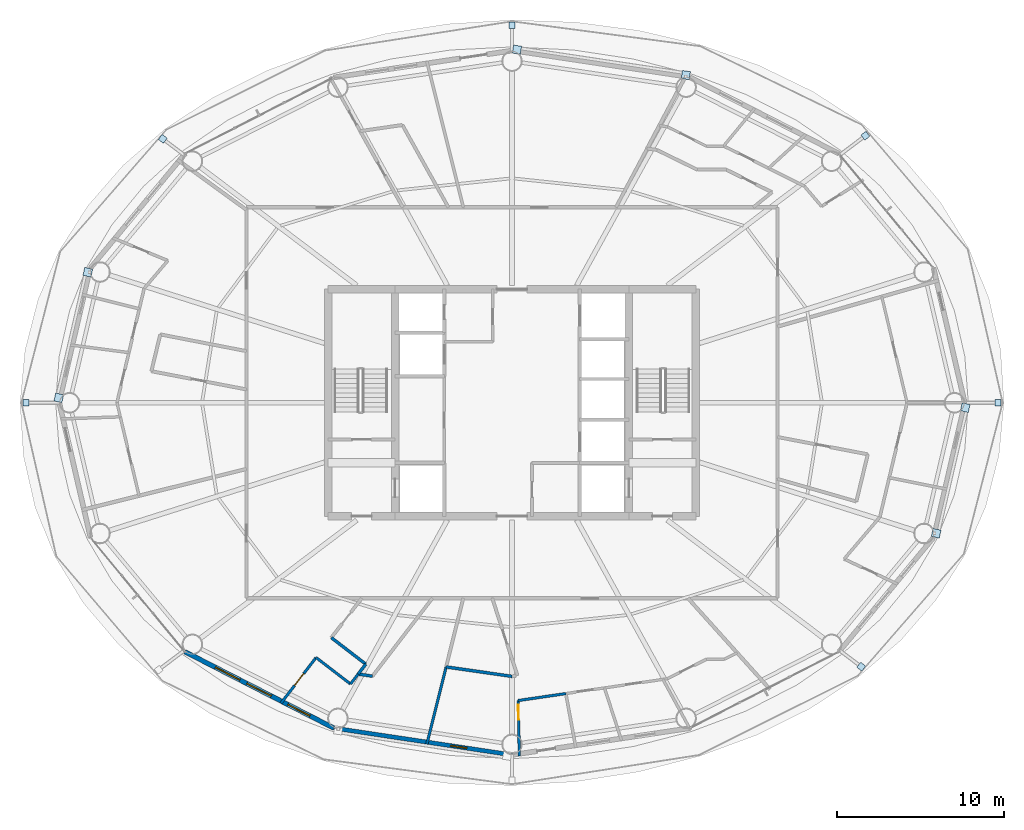
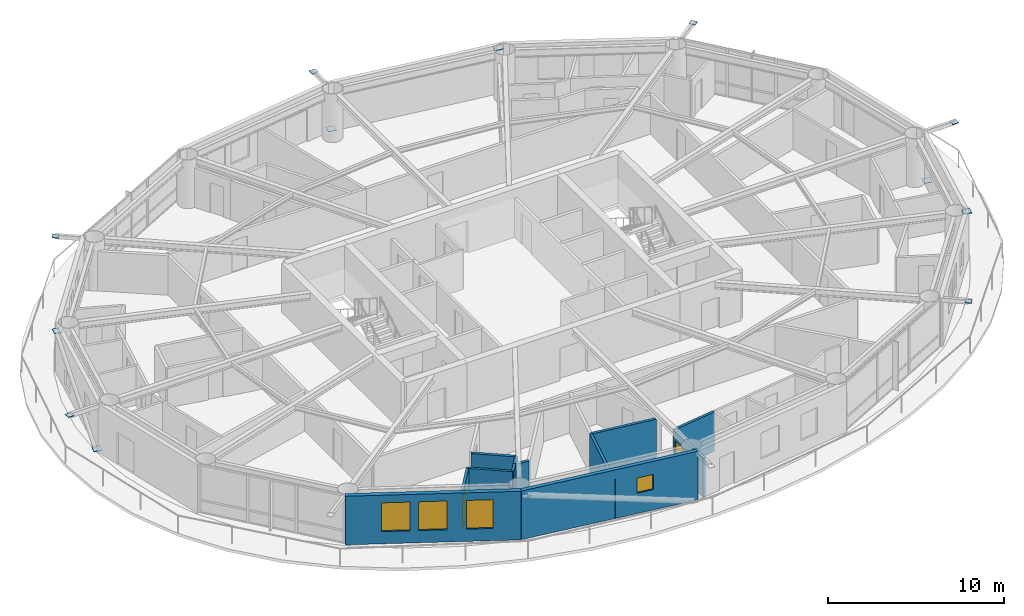
# One storey, part 19 of 27: 12 plates, 12 walls, 4 windows, 2 doors, 6 openings.
"""IFC4 building model written with IfcOpenShell, lengths in metres."""

from ifc_helpers import new_model, si_unit, direction, frame, frame_2d, origin, origin_2d, place, context, subcontext, project, spatial, rectangle, extrude, material, layer, layer_set, type_object, element, fill, save


model = new_model("IFC4")

# Units and contexts
model_context = context("Model", 3, precision=1e-05, world=origin(), true_north=direction((0.0, 1.0)))
body_context = subcontext(model_context, "Body", "Model", "MODEL_VIEW")
ifc_project = project(units=[si_unit("LENGTHUNIT", "METRE"), si_unit("AREAUNIT", "SQUARE_METRE"), si_unit("VOLUMEUNIT", "CUBIC_METRE"), si_unit("PLANEANGLEUNIT", "RADIAN"), si_unit("MASSUNIT", "GRAM", prefix="KILO")], contexts=[model_context])

# Site, building, storey
site_placement = place(None, origin())
site = spatial("IfcSite", under=ifc_project, at=site_placement, CompositionType="ELEMENT")
building_placement = place(site_placement, origin())
building = spatial("IfcBuilding", under=site, at=building_placement, Name="Sarneth Arch Tower", CompositionType="ELEMENT")
storey_placement = place(building_placement, frame((0.0, 0.0, 186.60009765625)))
storey = spatial("IfcBuildingStorey", under=building, at=storey_placement, Name="L47", CompositionType="ELEMENT", Elevation=186.60009765625)

# Plates
ifc_material_1 = material(Name="Steel S355", Category="steel")
ifc_layer_1 = layer(ifc_material_1, 0.035888671875)
ifc_layer_set_1 = layer_set([ifc_layer_1], Name="Steel S355")
plate_type = type_object("IfcPlateType", Name="PLT-GUSSET-30", PredefinedType="SHEET", material=ifc_layer_set_1)
for number, where, z_axis, x_axis, name in (
    (1, (77.090087890625, 42.0, 3.2021484375), (0.0, 0.0, 1.0), (1.0, 0.0, 0.0), "Steel end cap plate GP-1"),
    (2, (69.151123046875, 57.985107421875, 3.2021484375), (0.0, 0.0, 1.0), (0.797794439539, 0.602929541689, 0.0), "Steel end cap plate GP-1"),
):
    element("IfcPlate", number, at=place(storey_placement, frame(where, z_axis=z_axis, x_axis=x_axis)), inside=storey, type_object=plate_type, Name=name, PredefinedType="SHEET", context=body_context, shape_type="SweptSolid", body=[
        extrude(rectangle(XDim=0.3798828125, YDim=0.3798828125, at=origin_2d()), origin(), (0.0, 0.0, 1.0), 0.035888671875),
    ])
for number, where, z_axis, x_axis, name in (
    (3, (48.296630859375, 63.13525390625, 0.001953125), (0.0, 0.0, 1.0), (-0.98883454203, 0.149017611339, 0.0), "Steel end cap plate GP-1"),
    (4, (58.404296875, 61.612548828125, 3.03271484375), (0.0, 0.0, 1.0), (-0.98883454203, 0.149017611339, 0.0), "Steel end cap plate GP-1"),
):
    element("IfcPlate", number, at=place(storey_placement, frame(where, z_axis=z_axis, x_axis=x_axis)), inside=storey, type_object=plate_type, Name=name, PredefinedType="SHEET", context=body_context, shape_type="SweptSolid", body=[
        extrude(rectangle(XDim=0.486083984375, YDim=0.486083984375, at=origin_2d()), origin(), (0.0, 0.0, 1.0), 0.035888671875),
    ])
for number, where, z_axis, x_axis, name in (
    (5, (48.0, 64.596923828125, 3.2021484375), (0.0, 0.0, 1.0), (0.0, 1.0, 0.0), "Steel end cap plate GP-1"),
    (6, (27.09423828125, 57.799560546875, 3.2021484375), (0.0, 0.0, 1.0), (-0.797794439539, 0.602929541689, 0.0), "Steel end cap plate GP-1"),
):
    element("IfcPlate", number, at=place(storey_placement, frame(where, z_axis=z_axis, x_axis=x_axis)), inside=storey, type_object=plate_type, Name=name, PredefinedType="SHEET", context=body_context, shape_type="SweptSolid", body=[
        extrude(rectangle(XDim=0.3798828125, YDim=0.3798828125, at=origin_2d()), origin(), (0.0, 0.0, 1.0), 0.035888671875),
    ])
for number, where, z_axis, x_axis, name in (
    (7, (20.87109375, 42.292236328125, 0.001953125), (0.0, 0.0, 1.0), (-0.225291159947, -0.974291482694, 0.0), "Steel end cap plate GP-1"),
    (8, (22.609619140625, 49.81298828125, 3.03271484375), (0.0, 0.0, 1.0), (-0.225291159947, -0.974291482694, 0.0), "Steel end cap plate GP-1"),
):
    element("IfcPlate", number, at=place(storey_placement, frame(where, z_axis=z_axis, x_axis=x_axis)), inside=storey, type_object=plate_type, Name=name, PredefinedType="SHEET", context=body_context, shape_type="SweptSolid", body=[
        extrude(rectangle(XDim=0.486083984375, YDim=0.486083984375, at=origin_2d()), origin(), (0.0, 0.0, 1.0), 0.035888671875),
    ])
for number, where, z_axis, x_axis, name in (
    (9, (18.909912109375, 42.0, 3.2021484375), (0.0, 0.0, 1.0), (-1.0, 0.0, 0.0), "Steel end cap plate GP-1"),
    (10, (68.90576171875, 26.200439453125, 3.2021484375), (0.0, 0.0, 1.0), (0.797794439539, -0.602929541689, 0.0), "Steel end cap plate GP-1"),
):
    element("IfcPlate", number, at=place(storey_placement, frame(where, z_axis=z_axis, x_axis=x_axis)), inside=storey, type_object=plate_type, Name=name, PredefinedType="SHEET", context=body_context, shape_type="SweptSolid", body=[
        extrude(rectangle(XDim=0.3798828125, YDim=0.3798828125, at=origin_2d()), origin(), (0.0, 0.0, 1.0), 0.035888671875),
    ])
for number, where, z_axis, x_axis, name in (
    (11, (75.12890625, 41.707763671875, 0.001953125), (0.0, 0.0, 1.0), (0.225291159947, 0.974291482694, 0.0), "Steel end cap plate GP-1"),
    (12, (73.390380859375, 34.18701171875, 3.03271484375), (0.0, 0.0, 1.0), (0.225291159947, 0.974291482694, 0.0), "Steel end cap plate GP-1"),
):
    element("IfcPlate", number, at=place(storey_placement, frame(where, z_axis=z_axis, x_axis=x_axis)), inside=storey, type_object=plate_type, Name=name, PredefinedType="SHEET", context=body_context, shape_type="SweptSolid", body=[
        extrude(rectangle(XDim=0.486083984375, YDim=0.486083984375, at=origin_2d()), origin(), (0.0, 0.0, 1.0), 0.035888671875),
    ])

# Wall, opening, window
ifc_material_2 = material(Name="Extruded terracotta rainscreen on Concrete C40/50 backing", Category="masonry")
ifc_layer_2 = layer(ifc_material_2, 0.25)
ifc_layer_set_2 = layer_set([ifc_layer_2], Name="Extruded terracotta rainscreen on Concrete C40/50 backing")
wall_type_1 = type_object("IfcWallType", Name="WALL-EXT-SPAND-250", PredefinedType="SOLIDWALL", material=ifc_layer_set_2)
wall_1_placement = place(storey_placement, frame((37.337158203125, 22.524658203125, 0.0), z_axis=(0.0, 0.0, 1.0), x_axis=(0.988863993413, -0.148822049884, 0.0)))
wall_1 = element("IfcWall", 13, at=wall_1_placement, inside=storey, type_object=wall_type_1, Name="L47 Terracotta perimeter wall 12", PredefinedType="SOLIDWALL", context=body_context, shape_type="SweptSolid", body=[
    extrude(rectangle(XDim=10.782958984375, YDim=0.25, at=frame_2d((5.3916015625, 0.0))), origin(), (0.0, 0.0, 1.0), 3.3798828125),
])
opening_1_placement = place(wall_1_placement, frame((7.056396484375, 0.0, 1.419921875)))
opening_1 = element("IfcOpeningElement", 14, at=opening_1_placement, cuts=wall_1, Name="Opening W-14", PredefinedType="OPENING", context=body_context, shape_type="SweptSolid", body=[
    extrude(rectangle(XDim=1.0, YDim=1.050048828125, at=frame_2d((0.5, 0.52490234375))), frame((0.0, 0.135009765625, 0.0), z_axis=(0.0, -1.0, 0.0), x_axis=(1.0, 0.0, 0.0)), (0.0, 0.0, 1.0), 0.27001953125),
])
ifc_material_3 = material(Name="Thermally broken Aluminium 6063-T6 and low-e laminated IGU", Category="aluminium")
window_type_1 = type_object("IfcWindowType", Name="WIN-TWR-1000x1050", PartitioningType="SINGLE_PANEL", PredefinedType="WINDOW", material=ifc_material_3)
window_1_placement = place(opening_1_placement, origin())
window_1 = element("IfcWindow", 15, at=window_1_placement, inside=storey, type_object=window_type_1, Name="L47 Dwelling bedroom window 03", OverallHeight=1.050048828125, OverallWidth=1.0, PartitioningType="SINGLE_PANEL", PredefinedType="WINDOW", context=body_context, shape_type="SweptSolid", body=[
    extrude(rectangle(XDim=1.0, YDim=1.050048828125, at=frame_2d((0.5, 0.52490234375))), frame((0.0, 0.030029296875, 0.0), z_axis=(0.0, -1.0, 0.0), x_axis=(1.0, 0.0, 0.0)), (0.0, 0.0, 1.0), 0.06005859375),
])
fill(opening_1, window_1)

# Wall, openings, windows
ifc_material_4 = material(Name="Extruded terracotta rainscreen on Concrete C40/50 backing", Category="masonry")
ifc_layer_3 = layer(ifc_material_4, 0.280029296875)
ifc_layer_set_3 = layer_set([ifc_layer_3], Name="Extruded terracotta rainscreen on Concrete C40/50 backing")
wall_type_2 = type_object("IfcWallType", Name="WALL-EXT-TERRA-280", PredefinedType="SOLIDWALL", material=ifc_layer_set_3)
wall_2_placement = place(storey_placement, frame((28.423828125, 27.09423828125, 0.0), z_axis=(0.0, 0.0, 1.0), x_axis=(0.889872523182, -0.456209263919, 0.0)))
wall_2 = element("IfcWall", 16, at=wall_2_placement, inside=storey, type_object=wall_type_2, Name="L47 Terracotta perimeter wall 11", PredefinedType="SOLIDWALL", context=body_context, shape_type="SweptSolid", body=[
    extrude(rectangle(XDim=10.016357421875, YDim=0.280029296875, at=frame_2d((5.00830078125, 0.0))), origin(), (0.0, 0.0, 1.0), 3.3798828125),
])
opening_2_placement = place(wall_2_placement, frame((2.049560546875, 0.0, 0.85009765625)))
opening_2 = element("IfcOpeningElement", 17, at=opening_2_placement, cuts=wall_2, Name="Opening W-05", PredefinedType="OPENING", context=body_context, shape_type="SweptSolid", body=[
    extrude(rectangle(XDim=1.64990234375, YDim=2.0, at=frame_2d((0.824951171875, 1.0))), frame((0.0, 0.14990234375, 0.0), z_axis=(0.0, -1.0, 0.0), x_axis=(1.0, 0.0, 0.0)), (0.0, 0.0, 1.0), 0.300048828125),
])
opening_3_placement = place(wall_2_placement, frame((4.15869140625, 0.0, 0.85009765625)))
opening_3 = element("IfcOpeningElement", 18, at=opening_3_placement, cuts=wall_2, Name="Opening W-05", PredefinedType="OPENING", context=body_context, shape_type="SweptSolid", body=[
    extrude(rectangle(XDim=1.64990234375, YDim=2.0, at=frame_2d((0.824951171875, 1.0))), frame((0.0, 0.14990234375, 0.0), z_axis=(0.0, -1.0, 0.0), x_axis=(1.0, 0.0, 0.0)), (0.0, 0.0, 1.0), 0.300048828125),
])
opening_4_placement = place(wall_2_placement, frame((6.91650390625, 0.0, 0.85009765625)))
opening_4 = element("IfcOpeningElement", 19, at=opening_4_placement, cuts=wall_2, Name="Opening W-06", PredefinedType="OPENING", context=body_context, shape_type="SweptSolid", body=[
    extrude(rectangle(XDim=1.5, YDim=2.0, at=frame_2d((0.75, 1.0))), frame((0.0, 0.14990234375, 0.0), z_axis=(0.0, -1.0, 0.0), x_axis=(1.0, 0.0, 0.0)), (0.0, 0.0, 1.0), 0.300048828125),
])
ifc_material_5 = material(Name="Thermally broken Aluminium 6063-T6 and low-e laminated IGU", Category="aluminium")
window_type_2 = type_object("IfcWindowType", Name="WIN-TWR-1500x2000", PartitioningType="SINGLE_PANEL", PredefinedType="WINDOW", material=ifc_material_5)
window_2_placement = place(opening_4_placement, origin())
window_2 = element("IfcWindow", 20, at=window_2_placement, inside=storey, type_object=window_type_2, Name="L47 Exterior window 11C", OverallHeight=2.0, OverallWidth=1.5, PartitioningType="SINGLE_PANEL", PredefinedType="WINDOW", context=body_context, shape_type="SweptSolid", body=[
    extrude(rectangle(XDim=1.5, YDim=2.0, at=frame_2d((0.75, 1.0))), frame((0.0, 0.030029296875, 0.0), z_axis=(0.0, -1.0, 0.0), x_axis=(1.0, 0.0, 0.0)), (0.0, 0.0, 1.0), 0.06005859375),
])
fill(opening_4, window_2)
ifc_material_6 = material(Name="Thermally broken Aluminium 6063-T6 and low-e laminated IGU", Category="aluminium")
window_type_3 = type_object("IfcWindowType", Name="WIN-TWR-1650x2000", PartitioningType="DOUBLE_PANEL_VERTICAL", PredefinedType="WINDOW", material=ifc_material_6)
window_3_placement = place(opening_2_placement, origin())
window_3 = element("IfcWindow", 21, at=window_3_placement, inside=storey, type_object=window_type_3, Name="L47 Exterior window 11A", OverallHeight=2.0, OverallWidth=1.64990234375, PartitioningType="SINGLE_PANEL", PredefinedType="WINDOW", context=body_context, shape_type="SweptSolid", body=[
    extrude(rectangle(XDim=1.64990234375, YDim=2.0, at=frame_2d((0.824951171875, 1.0))), frame((0.0, 0.030029296875, 0.0), z_axis=(0.0, -1.0, 0.0), x_axis=(1.0, 0.0, 0.0)), (0.0, 0.0, 1.0), 0.06005859375),
])
fill(opening_2, window_3)
window_4_placement = place(opening_3_placement, origin())
window_4 = element("IfcWindow", 22, at=window_4_placement, inside=storey, type_object=window_type_3, Name="L47 Exterior window 11B", OverallHeight=2.0, OverallWidth=1.64990234375, PartitioningType="SINGLE_PANEL", PredefinedType="WINDOW", context=body_context, shape_type="SweptSolid", body=[
    extrude(rectangle(XDim=1.64990234375, YDim=2.0, at=frame_2d((0.824951171875, 1.0))), frame((0.0, 0.030029296875, 0.0), z_axis=(0.0, -1.0, 0.0), x_axis=(1.0, 0.0, 0.0)), (0.0, 0.0, 1.0), 0.06005859375),
])
fill(opening_3, window_4)

# Wall
ifc_material_7 = material(Name="Kitchen wet service chase wall", Category="gypsum")
ifc_layer_4 = layer(ifc_material_7, 0.159912109375)
ifc_layer_set_4 = layer_set([ifc_layer_4], Name="Kitchen wet service chase wall")
wall_type_3 = type_object("IfcWallType", Name="WALL-PLUMB-160", PredefinedType="PLUMBINGWALL", material=ifc_layer_set_4)
wall_3_placement = place(storey_placement, frame((42.9052734375, 21.56591796875, 0.0), z_axis=(0.0, 0.0, 1.0), x_axis=(0.24192039409, 0.970296100643, 0.0)))
element("IfcWall", 23, at=wall_3_placement, inside=storey, type_object=wall_type_3, Name="L47 Interior partition W-L47-TP-070", PredefinedType="PLUMBINGWALL", context=body_context, shape_type="SweptSolid", body=[
    extrude(rectangle(XDim=4.76220703125, YDim=0.159912109375, at=frame_2d((2.381103515625, 0.0))), origin(), (0.0, 0.0, 1.0), 2.739990234375),
])

# Wall, opening, door
wall_4_placement = place(storey_placement, frame((34.170166015625, 24.015625, 0.0), z_axis=(0.0, 0.0, 1.0), x_axis=(0.609597828201, 0.792710847568, 0.0)))
wall_4 = element("IfcWall", 24, at=wall_4_placement, inside=storey, type_object=wall_type_3, Name="L47 Interior partition W-L47-TP-065", PredefinedType="PLUMBINGWALL", context=body_context, shape_type="SweptSolid", body=[
    extrude(rectangle(XDim=3.44775390625, YDim=0.159912109375, at=frame_2d((1.723876953125, 0.0))), origin(), (0.0, 0.0, 1.0), 2.739990234375),
])
opening_5_placement = place(wall_4_placement, frame((1.333984375, 0.0, 0.0)))
opening_5 = element("IfcOpeningElement", 25, at=opening_5_placement, cuts=wall_4, Name="Opening ID-01", PredefinedType="OPENING", context=body_context, shape_type="SweptSolid", body=[
    extrude(rectangle(XDim=0.89990234375, YDim=2.10009765625, at=frame_2d((0.449951171875, 1.050048828125))), frame((0.0, 0.08984375, 0.0), z_axis=(0.0, -1.0, 0.0), x_axis=(1.0, 0.0, 0.0)), (0.0, 0.0, 1.0), 0.179931640625),
])
ifc_material_8 = material(Name="Engineered hardwood flush door", Category="wood")
door_type = type_object("IfcDoorType", Name="DR-INT-900", OperationType="SINGLE_SWING_LEFT", PredefinedType="DOOR", material=ifc_material_8)
door_1_placement = place(opening_5_placement, origin())
door_1 = element("IfcDoor", 26, at=door_1_placement, inside=storey, type_object=door_type, Name="L47 Interior door DR-L47-U5-KIT", OperationType="SINGLE_SWING_LEFT", OverallHeight=2.10009765625, OverallWidth=0.89990234375, PredefinedType="DOOR", context=body_context, shape_type="SweptSolid", body=[
    extrude(rectangle(XDim=0.89990234375, YDim=2.10009765625, at=frame_2d((0.449951171875, 1.050048828125))), frame((0.0, 0.02490234375, 0.0), z_axis=(0.0, -1.0, 0.0), x_axis=(1.0, 0.0, 0.0)), (0.0, 0.0, 1.0), 0.050048828125),
])
fill(opening_5, door_1)

wall_5_placement = place(storey_placement, frame((48.439208984375, 20.86572265625, 0.0), z_axis=(0.0, 0.0, 1.0), x_axis=(-0.020804233052, 0.999783568522, 0.0)))
wall_5 = element("IfcWall", 27, at=wall_5_placement, inside=storey, type_object=wall_type_3, Name="L47 Interior partition W-L47-TP-072", PredefinedType="PLUMBINGWALL", context=body_context, shape_type="SweptSolid", body=[
    extrude(rectangle(XDim=3.309326171875, YDim=0.159912109375, at=frame_2d((1.65478515625, 0.0))), origin(), (0.0, 0.0, 1.0), 2.739990234375),
])
opening_6_placement = place(wall_5_placement, frame((2.16455078125, 0.0, 0.0)))
opening_6 = element("IfcOpeningElement", 28, at=opening_6_placement, cuts=wall_5, Name="Opening ID-01", PredefinedType="OPENING", context=body_context, shape_type="SweptSolid", body=[
    extrude(rectangle(XDim=0.89990234375, YDim=2.10009765625, at=frame_2d((0.449951171875, 1.050048828125))), frame((0.0, 0.08984375, 0.0), z_axis=(0.0, -1.0, 0.0), x_axis=(1.0, 0.0, 0.0)), (0.0, 0.0, 1.0), 0.179931640625),
])
door_2_placement = place(opening_6_placement, origin())
door_2 = element("IfcDoor", 29, at=door_2_placement, inside=storey, type_object=door_type, Name="L47 Interior door DR-L47-U6-KIT", OperationType="SINGLE_SWING_RIGHT", OverallHeight=2.10009765625, OverallWidth=0.89990234375, PredefinedType="DOOR", context=body_context, shape_type="SweptSolid", body=[
    extrude(rectangle(XDim=0.89990234375, YDim=2.10009765625, at=frame_2d((0.449951171875, 1.050048828125))), frame((0.0, 0.02490234375, 0.0), z_axis=(0.0, -1.0, 0.0), x_axis=(1.0, 0.0, 0.0)), (0.0, 0.0, 1.0), 0.050048828125),
])
fill(opening_6, door_2)

# Walls
wall_6_placement = place(storey_placement, frame((48.370361328125, 24.17431640625, 0.0), z_axis=(0.0, 0.0, 1.0), x_axis=(0.98947822579, 0.144681860256, 0.0)))
element("IfcWall", 30, at=wall_6_placement, inside=storey, type_object=wall_type_3, Name="L47 Interior partition W-L47-TP-073", PredefinedType="PLUMBINGWALL", context=body_context, shape_type="SweptSolid", body=[
    extrude(rectangle(XDim=2.882080078125, YDim=0.159912109375, at=frame_2d((1.44091796875, 0.0))), origin(), (0.0, 0.0, 1.0), 2.739990234375),
])
wall_7_placement = place(storey_placement, frame((36.27197265625, 26.748779296875, 0.0), z_axis=(0.0, 0.0, 1.0), x_axis=(0.792742649864, -0.609556470794, 0.0)))
element("IfcWall", 31, at=wall_7_placement, inside=storey, type_object=wall_type_3, Name="L47 Interior partition W-L47-TP-066", PredefinedType="PLUMBINGWALL", context=body_context, shape_type="SweptSolid", body=[
    extrude(rectangle(XDim=2.60009765625, YDim=0.159912109375, at=frame_2d((1.300048828125, 0.0))), origin(), (0.0, 0.0, 1.0), 2.739990234375),
])
wall_8_placement = place(storey_placement, frame((38.333251953125, 25.163818359375, 0.0), z_axis=(0.0, 0.0, 1.0), x_axis=(0.609695029381, 0.792636089986, 0.0)))
element("IfcWall", 32, at=wall_8_placement, inside=storey, type_object=wall_type_3, Name="L47 Interior partition W-L47-TP-067", PredefinedType="PLUMBINGWALL", context=body_context, shape_type="SweptSolid", body=[
    extrude(rectangle(XDim=0.75, YDim=0.159912109375, at=frame_2d((0.375, 0.0))), origin(), (0.0, 0.0, 1.0), 2.739990234375),
])
ifc_material_9 = material(Name="Moisture-resistant plumbing chase wall", Category="gypsum")
ifc_layer_5 = layer(ifc_material_9, 0.179931640625)
ifc_layer_set_5 = layer_set([ifc_layer_5], Name="Moisture-resistant plumbing chase wall")
wall_type_4 = type_object("IfcWallType", Name="WALL-PLUMB-180", PredefinedType="PLUMBINGWALL", material=ifc_layer_set_5)
wall_9_placement = place(storey_placement, frame((48.0, 25.6201171875, 0.0), z_axis=(0.0, 0.0, 1.0), x_axis=(-0.989829001183, 0.14226225226, 0.0)))
element("IfcWall", 33, at=wall_9_placement, inside=storey, type_object=wall_type_4, Name="L47 Interior partition W-L47-TP-076", PredefinedType="PLUMBINGWALL", context=body_context, shape_type="SweptSolid", body=[
    extrude(rectangle(XDim=3.983154296875, YDim=0.179931640625, at=frame_2d((1.99169921875, 0.0))), origin(), (0.0, 0.0, 1.0), 2.739990234375),
])
wall_10_placement = place(storey_placement, frame((39.247802734375, 26.352783203125, 0.0), z_axis=(0.0, 0.0, 1.0), x_axis=(-0.792732166763, 0.609570104073, 0.0)))
element("IfcWall", 34, at=wall_10_placement, inside=storey, type_object=wall_type_4, Name="L47 Interior partition W-L47-TP-063", PredefinedType="PLUMBINGWALL", context=body_context, shape_type="SweptSolid", body=[
    extrude(rectangle(XDim=2.6005859375, YDim=0.179931640625, at=frame_2d((1.30029296875, 0.0))), origin(), (0.0, 0.0, 1.0), 2.739990234375),
])
wall_11_placement = place(storey_placement, frame((38.79052734375, 25.75830078125, 0.0), z_axis=(0.0, 0.0, 1.0), x_axis=(0.989584977247, -0.143949896861, 0.0)))
element("IfcWall", 35, at=wall_11_placement, inside=storey, type_object=wall_type_4, Name="L47 Interior partition W-L47-TP-068", PredefinedType="PLUMBINGWALL", context=body_context, shape_type="SweptSolid", body=[
    extrude(rectangle(XDim=0.864990234375, YDim=0.179931640625, at=frame_2d((0.4326171875, 0.0))), origin(), (0.0, 0.0, 1.0), 2.739990234375),
])
wall_12_placement = place(storey_placement, frame((38.79052734375, 25.75830078125, 0.0), z_axis=(0.0, 0.0, 1.0), x_axis=(0.609695029381, 0.792636089986, 0.0)))
element("IfcWall", 36, at=wall_12_placement, inside=storey, type_object=wall_type_4, Name="L47 Interior partition W-L47-TP-062", PredefinedType="PLUMBINGWALL", context=body_context, shape_type="SweptSolid", body=[
    extrude(rectangle(XDim=0.75, YDim=0.179931640625, at=frame_2d((0.375, 0.0))), origin(), (0.0, 0.0, 1.0), 2.739990234375),
])

save(model, "model.ifc")
